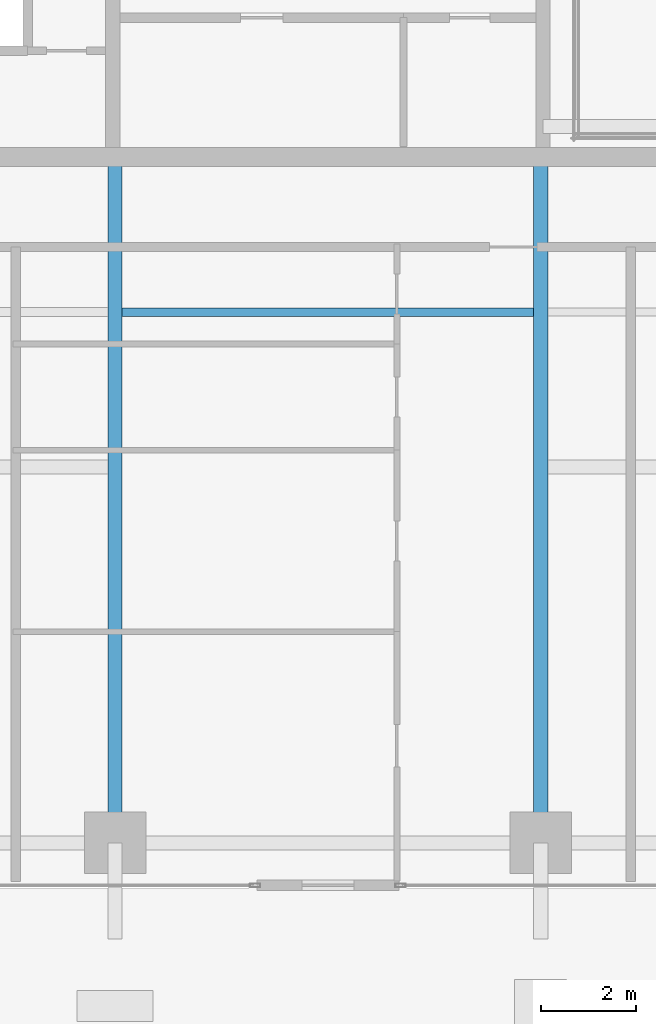
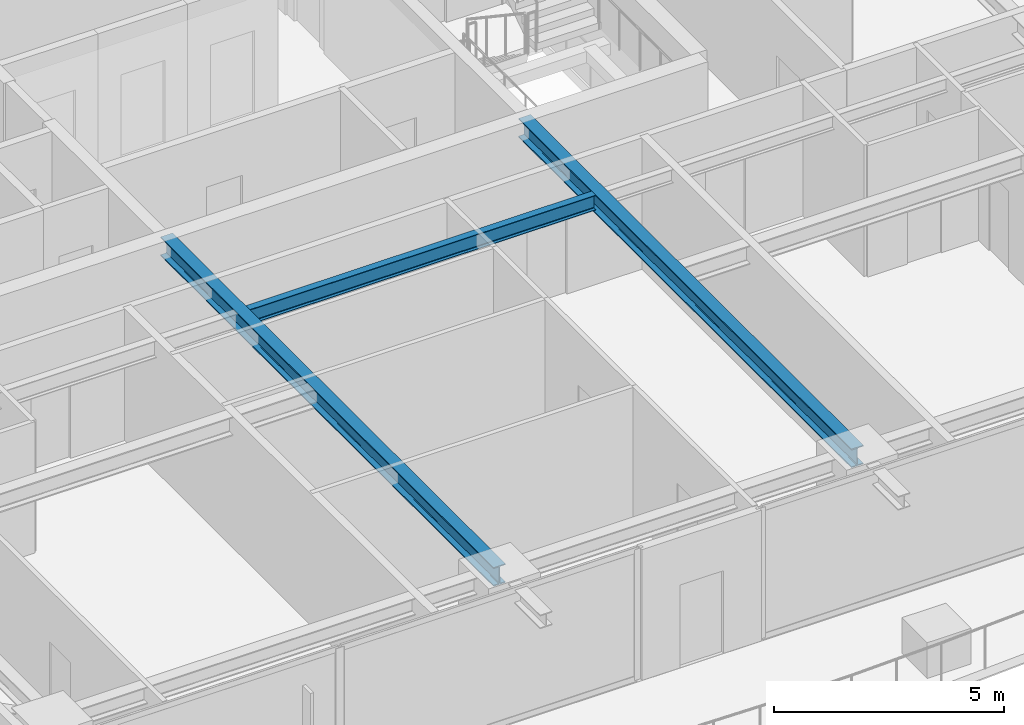
# One storey, part 6 of 35: 3 beams.
"""IFC4 building model written with IfcOpenShell, lengths in metres."""

import ifcopenshell
import ifcopenshell.guid

model = None  # the IFC model being written
_history = None  # IfcOwnerHistory: only IFC2X3 demands one
_inside = {}  # id of a spatial element -> (the spatial element, [elements in it])
_under = {}  # id of a project, library or spatial element -> (it, [spatial elements below it])
_declared = {}  # id of a project -> (the project, [libraries it declares])
_typed = {}  # id of a type object -> (the type object, [elements of that type])
_made_of = {}  # id of a material, layer set ... -> (it, [elements and type objects made of it])


def new_model(schema):
    """Start an empty IFC model of exactly this schema.

    Asked for "IFC4X3", IfcOpenShell would pick the latest addendum, in which some entities
    have other attributes; the version numbers below select the first issue.
    IFC2X3 requires an IfcOwnerHistory on every rooted entity: one is made here for all.
    """
    global model, _history
    if schema == "IFC4X3":
        model = ifcopenshell.file(schema_version=(4, 3, 0, 0))
    else:
        model = ifcopenshell.file(schema=schema)
    _inside.clear()
    _under.clear()
    _declared.clear()
    _typed.clear()
    _made_of.clear()
    _history = None
    if model.schema == "IFC2X3":
        org = make("IfcOrganization", Name="unknown")
        user = make(
            "IfcPersonAndOrganization",
            ThePerson=make("IfcPerson", FamilyName="unknown"),
            TheOrganization=org,
        )
        app = make(
            "IfcApplication",
            ApplicationDeveloper=org,
            Version="unknown",
            ApplicationFullName="unknown",
            ApplicationIdentifier="unknown",
        )
        _history = make(
            "IfcOwnerHistory",
            OwningUser=user,
            OwningApplication=app,
            ChangeAction="ADDED",
            CreationDate=0,
        )
    return model


def make(cls, **values):
    """One entity of the class cls with the attributes given. An attribute that is None is left unset."""
    return model.create_entity(
        cls, **{name: value for name, value in values.items() if value is not None}
    )


def rooted(cls, **values):
    """An entity with a GlobalId (a new one), such as an element, a storey or a relation."""
    return make(cls, GlobalId=ifcopenshell.guid.new(), OwnerHistory=_history, **values)


def si_unit(unit_type, name, prefix=None):
    """IfcSIUnit, for example si_unit("LENGTHUNIT", "METRE", prefix="MILLI")."""
    return make("IfcSIUnit", UnitType=unit_type, Prefix=prefix, Name=name)


def assignment(units):
    """IfcUnitAssignment: the units of a project."""
    return None if units is None else make("IfcUnitAssignment", Units=units)


def point(xyz):
    """IfcCartesianPoint."""
    return None if xyz is None else make("IfcCartesianPoint", Coordinates=xyz)


def direction(xyz):
    """IfcDirection."""
    return None if xyz is None else make("IfcDirection", DirectionRatios=xyz)


def frame(location, z_axis=None, x_axis=None):
    """IfcAxis2Placement3D, a coordinate frame: its origin and axes. An axis left out is left unset."""
    return make(
        "IfcAxis2Placement3D",
        Location=point(location),
        Axis=direction(z_axis),
        RefDirection=direction(x_axis),
    )


def frame_2d(location, x_axis=None):
    """IfcAxis2Placement2D, a coordinate frame in the plane: its origin and x axis."""
    return make(
        "IfcAxis2Placement2D", Location=point(location), RefDirection=direction(x_axis)
    )


def origin():
    """The frame at (0, 0, 0) with its axes left unset."""
    return frame((0.0, 0.0, 0.0))


def origin_2d():
    """The frame at (0, 0) in the plane with its x axis left unset."""
    return frame_2d((0.0, 0.0))


def place(relative_to, where):
    """IfcLocalPlacement: puts the frame where relative to a parent placement (None: the world)."""
    return make(
        "IfcLocalPlacement", PlacementRelTo=relative_to, RelativePlacement=where
    )


def context(
    kind, dimensions, precision=None, world=None, true_north=None, identifier=None
):
    """IfcGeometricRepresentationContext, for example the 3D "Model" context."""
    return make(
        "IfcGeometricRepresentationContext",
        ContextIdentifier=identifier,
        ContextType=kind,
        CoordinateSpaceDimension=dimensions,
        Precision=precision,
        WorldCoordinateSystem=world,
        TrueNorth=true_north,
    )


def subcontext(parent, identifier, kind, view, scale=None):
    """IfcGeometricRepresentationSubContext, for example "Body" below "Model"."""
    return make(
        "IfcGeometricRepresentationSubContext",
        ContextIdentifier=identifier,
        ContextType=kind,
        ParentContext=parent,
        TargetScale=scale,
        TargetView=view,
    )


def project(units=None, contexts=None):
    """IfcProject with its units and contexts."""
    return rooted(
        "IfcProject",
        Name="project",
        RepresentationContexts=contexts,
        UnitsInContext=assignment(units),
    )


def spatial(cls, under=None, at=None, **own):
    """A site, building, storey or space (cls), placed at a placement, below another one or the project."""
    s = rooted(cls, ObjectPlacement=at, **own)
    if under is not None:
        _under.setdefault(under.id(), (under, []))[1].append(s)
    return s


def profile(cls, at=None, kind="AREA", **sizes):
    """A parametric profile (cls). Its sizes go by their IFC names, for example OverallWidth=200.0."""
    return make(cls, ProfileType=kind, Position=at, **sizes)


def i_section(**sizes):
    """IfcIShapeProfileDef."""
    return profile("IfcIShapeProfileDef", **sizes)


def extrude(swept, where, along, depth):
    """IfcExtrudedAreaSolid: the profile swept, set in the frame where, extruded along a direction by depth."""
    return make(
        "IfcExtrudedAreaSolid",
        SweptArea=swept,
        Position=where,
        ExtrudedDirection=direction(along),
        Depth=depth,
    )


def shape(context_of_items, identifier, shape_type, items):
    """IfcShapeRepresentation: the items that make up one representation, for example the "Body"."""
    return make(
        "IfcShapeRepresentation",
        ContextOfItems=context_of_items,
        RepresentationIdentifier=identifier,
        RepresentationType=shape_type,
        Items=items,
    )


def source(mapping_origin, context_of_items, identifier, shape_type, items):
    """IfcRepresentationMap: a shape defined once, which mapped items show again and again."""
    return make(
        "IfcRepresentationMap",
        MappingOrigin=mapping_origin,
        MappedRepresentation=shape(context_of_items, identifier, shape_type, items),
    )


def transform(
    local_origin,
    x_axis=None,
    y_axis=None,
    z_axis=None,
    scale=None,
    scale2=None,
    scale3=None,
    uniform=True,
):
    """IfcCartesianTransformationOperator3D, or its non-uniform kind. x_axis, y_axis, z_axis: its Axis1, 2, 3."""
    if uniform:
        return make(
            "IfcCartesianTransformationOperator3D",
            Axis1=direction(x_axis),
            Axis2=direction(y_axis),
            LocalOrigin=point(local_origin),
            Scale=scale,
            Axis3=direction(z_axis),
        )
    return make(
        "IfcCartesianTransformationOperator3DnonUniform",
        Axis1=direction(x_axis),
        Axis2=direction(y_axis),
        LocalOrigin=point(local_origin),
        Scale=scale,
        Axis3=direction(z_axis),
        Scale2=scale2,
        Scale3=scale3,
    )


def mapped(mapping_source, mapping_target):
    """IfcMappedItem: shows the shape of a source again, moved by a transform."""
    return make(
        "IfcMappedItem", MappingSource=mapping_source, MappingTarget=mapping_target
    )


def material(Name=None, Category=None):
    """IfcMaterial."""
    return make("IfcMaterial", Name=Name, Category=Category)


def material_profile(
    of_material, cross_section, Name=None, Category=None, Priority=None
):
    """IfcMaterialProfile: a cross section and its material."""
    return make(
        "IfcMaterialProfile",
        Name=Name,
        Material=of_material,
        Profile=cross_section,
        Priority=Priority,
        Category=Category,
    )


def profile_set(profiles, Name=None, composite=None):
    """IfcMaterialProfileSet."""
    return make(
        "IfcMaterialProfileSet",
        Name=Name,
        MaterialProfiles=profiles,
        CompositeProfile=composite,
    )


def made_of(thing, what):
    """Note that an element or type object is made of a material, layer set ...; save() writes the relation."""
    if what is not None:
        _made_of.setdefault(what.id(), (what, []))[1].append(thing)
    return thing


def type_object(cls, material=None, **own):
    """A type object (cls), such as IfcWallType, which elements share."""
    return made_of(rooted(cls, **own), material)


def element(
    cls,
    number,
    at=None,
    inside=None,
    cuts=None,
    type_object=None,
    material=None,
    context=None,
    identifier="Body",
    shape_type=None,
    held_by="IfcProductDefinitionShape",
    body=None,
    shapes=None,
    **own,
):
    """One element of the class cls, such as IfcWall. Its Tag is "e" and its number.

    at: its placement. inside: the storey or other place that contains it. cuts: it is an
    opening in that element (IfcRelVoidsElement). A single representation is given by context,
    identifier, shape_type and body (its items); several are given by shapes. held_by: the class
    of the entity that holds the representations. save() writes the other relations.
    """
    e = rooted(cls, Tag="e%d" % number, ObjectPlacement=at, **own)
    if body is not None:
        shapes = [shape(context, identifier, shape_type, body)]
    if shapes is not None:
        e.Representation = make(held_by, Representations=shapes)
    if inside is not None:
        _inside.setdefault(inside.id(), (inside, []))[1].append(e)
    if cuts is not None:
        rooted(
            "IfcRelVoidsElement", RelatingBuildingElement=cuts, RelatedOpeningElement=e
        )
    if type_object is not None:
        _typed.setdefault(type_object.id(), (type_object, []))[1].append(e)
    return made_of(e, material)


def aggregate(whole, parts):
    """IfcRelAggregates: a whole, such as a stair, and the parts it consists of."""
    return rooted("IfcRelAggregates", RelatingObject=whole, RelatedObjects=parts)


def save(model, path):
    """Write the relations noted so far, then the file.

    IfcRelAggregates (storeys below a building ...), IfcRelContainedInSpatialStructure (elements
    in a storey), IfcRelDefinesByType, IfcRelAssociatesMaterial and IfcRelDeclares: one each for
    every whole, place, type object, material and project.
    """
    for whole, parts in _under.values():
        aggregate(whole, parts)
    for where, things in _inside.values():
        rooted(
            "IfcRelContainedInSpatialStructure",
            RelatedElements=things,
            RelatingStructure=where,
        )
    for kind, things in _typed.values():
        rooted("IfcRelDefinesByType", RelatedObjects=things, RelatingType=kind)
    for what, things in _made_of.values():
        rooted("IfcRelAssociatesMaterial", RelatedObjects=things, RelatingMaterial=what)
    for by, libraries in _declared.values():
        rooted("IfcRelDeclares", RelatingContext=by, RelatedDefinitions=libraries)
    model.write(path)


model = new_model("IFC4")

# Units and contexts
model_context = context("Model", 3, precision=1e-05, world=origin(), true_north=direction((0.0, 1.0)))
body_context = subcontext(model_context, "Body", "Model", "MODEL_VIEW")
ifc_project = project(units=[si_unit("LENGTHUNIT", "METRE"), si_unit("AREAUNIT", "SQUARE_METRE"), si_unit("VOLUMEUNIT", "CUBIC_METRE"), si_unit("PLANEANGLEUNIT", "RADIAN"), si_unit("MASSUNIT", "GRAM", prefix="KILO")], contexts=[model_context])

# Site, building, storey
site_placement = place(None, origin())
site = spatial("IfcSite", under=ifc_project, at=site_placement, CompositionType="ELEMENT")
building_placement = place(site_placement, origin())
building = spatial("IfcBuilding", under=site, at=building_placement, Name="Serunith Strait Residences", CompositionType="ELEMENT")
storey_placement = place(building_placement, frame((0.0, 0.0, 191.39990234375)))
storey = spatial("IfcBuildingStorey", under=building, at=storey_placement, Name="L48", CompositionType="ELEMENT", Elevation=191.39990234375)

# Beams
ifc_material = material(Name="Steel S355J2", Category="steel")
ifc_material_profile_1 = material_profile(ifc_material, i_section(OverallWidth=0.179931640625, OverallDepth=0.39990234375, WebThickness=0.008544921875, FlangeThickness=0.013427734375, FilletRadius=0.02099609375, at=origin_2d()), Name="IPE 400")
ifc_profile_set_1 = profile_set([ifc_material_profile_1], Name="Steel S355J2")
beam_type_1 = type_object("IfcBeamType", Name="BM-IPE400", PredefinedType="JOIST", material=ifc_profile_set_1)
shared_shape_1 = source(origin(), body_context, "Body", "SweptSolid", [
    extrude(i_section(OverallWidth=0.179931640625, OverallDepth=0.39990234375, WebThickness=0.008544921875, FlangeThickness=0.013427734375, FilletRadius=0.02099609375, at=origin_2d()), origin(), (0.0, 0.0, 1.0), 8.699951171875),
])
beam_placement = place(storey_placement, frame((28.050048828125, 13.52490234375, 3.287109375), z_axis=(1.0, 0.0, 0.0), x_axis=(0.0, 1.0, 0.0)))
element("IfcBeam", 1, at=beam_placement, inside=storey, type_object=beam_type_1, Name="L48 Composite Floor Joist 02", PredefinedType="JOIST", context=body_context, shape_type="MappedRepresentation", body=[
    mapped(shared_shape_1, transform((0.0, 0.0, 0.0), scale=1.0)),
])
ifc_material_profile_2 = material_profile(ifc_material, i_section(OverallWidth=0.300048828125, OverallDepth=0.5, WebThickness=0.014404296875, FlangeThickness=0.028076171875, FilletRadius=0.027099609375, at=origin_2d()), Name="HEB 500")
ifc_profile_set_2 = profile_set([ifc_material_profile_2], Name="Steel S355J2")
beam_type_2 = type_object("IfcBeamType", Name="BM-HEB500", PredefinedType="BEAM", material=ifc_profile_set_2)
shared_shape_2 = source(origin(), body_context, "Body", "SweptSolid", [
    extrude(i_section(OverallWidth=0.300048828125, OverallDepth=0.5, WebThickness=0.014404296875, FlangeThickness=0.028076171875, FilletRadius=0.027099609375, at=origin_2d()), origin(), (0.0, 0.0, 1.0), 14.5),
])
for number, where, z_axis, x_axis, name in (
    (2, (27.89990234375, 16.800048828125, 3.237060546875), (0.0, -1.0, 0.0), (1.0, 0.0, 0.0), "L48 Primary Floor Girder TC-S2"),
    (3, (36.89990234375, 16.800048828125, 3.237060546875), (0.0, -1.0, 0.0), (1.0, 0.0, 0.0), "L48 Primary Floor Girder TC-S3"),
):
    element("IfcBeam", number, at=place(storey_placement, frame(where, z_axis=z_axis, x_axis=x_axis)), inside=storey, type_object=beam_type_2, Name=name, PredefinedType="BEAM", context=body_context, shape_type="MappedRepresentation", body=[
        mapped(shared_shape_2, transform((0.0, 0.0, 0.0), scale=1.0)),
    ])

save(model, "model.ifc")
